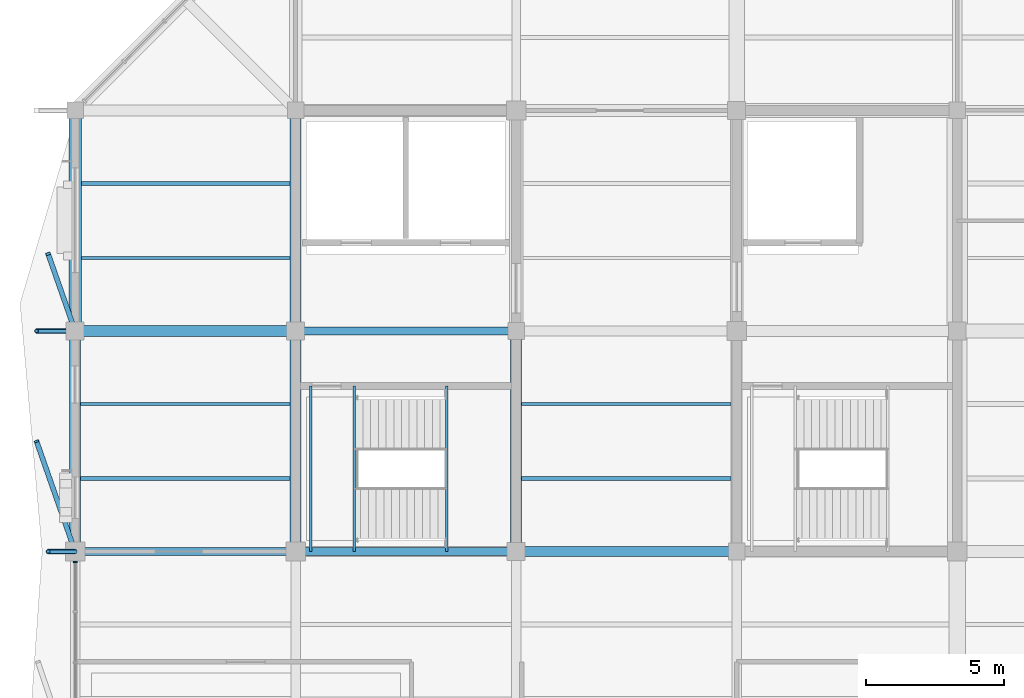
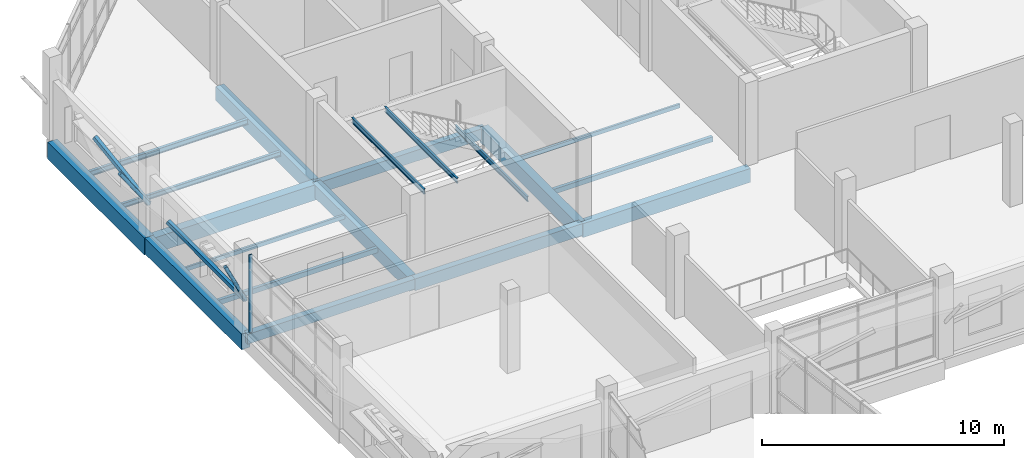
# One storey, part 27 of 84: 19 beams, 5 members, 1 element without a shape of its own.
"""IFC4 building model written with IfcOpenShell, lengths in metres."""

from ifc_helpers import new_model, si_unit, direction, frame, origin, origin_2d, place, context, subcontext, project, spatial, rectangle, hollow_rectangle, hollow_circle, i_section, extrude, material, material_profile, profile_set, type_object, element, aggregate, save


model = new_model("IFC4")

# Units and contexts
model_context = context("Model", 3, precision=1e-05, world=origin(), true_north=direction((0.0, 1.0)))
body_context = subcontext(model_context, "Body", "Model", "MODEL_VIEW")
ifc_project = project(units=[si_unit("LENGTHUNIT", "METRE"), si_unit("AREAUNIT", "SQUARE_METRE"), si_unit("VOLUMEUNIT", "CUBIC_METRE"), si_unit("PLANEANGLEUNIT", "RADIAN"), si_unit("MASSUNIT", "GRAM", prefix="KILO")], contexts=[model_context])

# Site, building, storey
site_placement = place(None, origin())
site = spatial("IfcSite", under=ifc_project, at=site_placement, CompositionType="ELEMENT")
building_placement = place(site_placement, origin())
building = spatial("IfcBuilding", under=site, at=building_placement, Name="Tenunan Teduh Sports Hall", CompositionType="ELEMENT")
storey_placement = place(building_placement, frame((0.0, 0.0, 10.800048828125)))
storey = spatial("IfcBuildingStorey", under=building, at=storey_placement, Name="L02", CompositionType="ELEMENT", Elevation=10.800048828125)

# Beams
ifc_material_1 = material(Name="Concrete C40/50", Category="concrete")
ifc_material_profile_1 = material_profile(ifc_material_1, rectangle(XDim=0.300048828125, YDim=0.5, at=origin_2d()), Name="RCB 300x500")
ifc_profile_set_1 = profile_set([ifc_material_profile_1], Name="Concrete C40/50")
beam_type_1 = type_object("IfcBeamType", Name="BM-RC-300x500", PredefinedType="BEAM", material=ifc_profile_set_1)
beam_1_placement = place(storey_placement, frame((6.0, 94.0, -0.510009765625), z_axis=(1.0, 0.0, 0.0), x_axis=(0.0, 1.0, 0.0)))
element("IfcBeam", 1, at=beam_1_placement, inside=storey, type_object=beam_type_1, Name="BM-B-01-L02-1507", PredefinedType="BEAM", context=body_context, shape_type="SweptSolid", body=[
    extrude(rectangle(XDim=0.300048828125, YDim=0.5, at=origin_2d()), origin(), (0.0, 0.0, 1.0), 8.0),
])
ifc_material_2 = material(Name="Concrete C40/50", Category="concrete")
ifc_material_profile_2 = material_profile(ifc_material_2, rectangle(XDim=0.300048828125, YDim=0.550048828125, at=origin_2d()), Name="RCB 300x550")
ifc_profile_set_2 = profile_set([ifc_material_profile_2], Name="Concrete C40/50")
beam_type_2 = type_object("IfcBeamType", Name="BM-RC-300x550", PredefinedType="BEAM", material=ifc_profile_set_2)
beam_2_placement = place(storey_placement, frame((14.0, 102.0, -0.53515625), z_axis=(1.0, 0.0, 0.0), x_axis=(0.0, 1.0, 0.0)))
element("IfcBeam", 2, at=beam_2_placement, inside=storey, type_object=beam_type_2, Name="BM-B-02-L02-1525", PredefinedType="BEAM", context=body_context, shape_type="SweptSolid", body=[
    extrude(rectangle(XDim=0.300048828125, YDim=0.550048828125, at=origin_2d()), origin(), (0.0, 0.0, 1.0), 8.0),
])
ifc_material_3 = material(Name="Concrete C40/50", Category="concrete")
ifc_material_profile_3 = material_profile(ifc_material_3, rectangle(XDim=0.300048828125, YDim=0.60009765625, at=origin_2d()), Name="RCB 300x600")
ifc_profile_set_3 = profile_set([ifc_material_profile_3], Name="Concrete C40/50")
beam_type_3 = type_object("IfcBeamType", Name="BM-RC-300x600", PredefinedType="BEAM", material=ifc_profile_set_3)
beam_3_placement = place(storey_placement, frame((14.0, 94.0, -0.56005859375), z_axis=(1.0, 0.0, 0.0), x_axis=(0.0, 1.0, 0.0)))
element("IfcBeam", 3, at=beam_3_placement, inside=storey, type_object=beam_type_3, Name="BM-B-03-L02-1508", PredefinedType="BEAM", context=body_context, shape_type="SweptSolid", body=[
    extrude(rectangle(XDim=0.300048828125, YDim=0.60009765625, at=origin_2d()), origin(), (0.0, 0.0, 1.0), 8.0),
])
ifc_material_4 = material(Name="Concrete C40/50", Category="concrete")
ifc_material_profile_4 = material_profile(ifc_material_4, rectangle(XDim=0.35009765625, YDim=0.699951171875, at=origin_2d()), Name="RCB 350x700")
ifc_profile_set_4 = profile_set([ifc_material_profile_4], Name="Concrete C40/50")
beam_type_4 = type_object("IfcBeamType", Name="BM-RC-350x700", PredefinedType="BEAM", material=ifc_profile_set_4)
beam_4_placement = place(storey_placement, frame((22.0, 94.0, -0.610107421875), z_axis=(1.0, 0.0, 0.0), x_axis=(0.0, 1.0, 0.0)))
element("IfcBeam", 4, at=beam_4_placement, inside=storey, type_object=beam_type_4, Name="BM-B-06-L02-1509", PredefinedType="BEAM", context=body_context, shape_type="SweptSolid", body=[
    extrude(rectangle(XDim=0.35009765625, YDim=0.699951171875, at=origin_2d()), origin(), (0.0, 0.0, 1.0), 8.0),
])
ifc_material_5 = material(Name="Concrete C40/50", Category="concrete")
ifc_material_profile_5 = material_profile(ifc_material_5, rectangle(XDim=0.39990234375, YDim=0.64990234375, at=origin_2d()), Name="RCB 400x650")
ifc_profile_set_5 = profile_set([ifc_material_profile_5], Name="Concrete C40/50")
beam_type_5 = type_object("IfcBeamType", Name="BM-RC-400x650", PredefinedType="BEAM", material=ifc_profile_set_5)
beam_5_placement = place(storey_placement, frame((14.0, 94.0, -0.5849609375), z_axis=(0.0, 1.0, 0.0), x_axis=(-1.0, 0.0, 0.0)))
element("IfcBeam", 5, at=beam_5_placement, inside=storey, type_object=beam_type_5, Name="BM-B-07-L02-1581", PredefinedType="BEAM", context=body_context, shape_type="SweptSolid", body=[
    extrude(rectangle(XDim=0.39990234375, YDim=0.64990234375, at=origin_2d()), origin(), (0.0, 0.0, 1.0), 8.0),
])
ifc_material_6 = material(Name="Concrete C40/50", Category="concrete")
ifc_material_profile_6 = material_profile(ifc_material_6, rectangle(XDim=0.39990234375, YDim=0.699951171875, at=origin_2d()), Name="RCB 400x700")
ifc_profile_set_6 = profile_set([ifc_material_profile_6], Name="Concrete C40/50")
beam_type_6 = type_object("IfcBeamType", Name="BM-RC-400x700", PredefinedType="BEAM", material=ifc_profile_set_6)
beam_6_placement = place(storey_placement, frame((14.0, 102.0, -0.610107421875), z_axis=(0.0, 1.0, 0.0), x_axis=(-1.0, 0.0, 0.0)))
element("IfcBeam", 6, at=beam_6_placement, inside=storey, type_object=beam_type_6, Name="BM-B-08-L02-1582", PredefinedType="BEAM", context=body_context, shape_type="SweptSolid", body=[
    extrude(rectangle(XDim=0.39990234375, YDim=0.699951171875, at=origin_2d()), origin(), (0.0, 0.0, 1.0), 8.0),
])
ifc_material_7 = material(Name="Concrete C40/50", Category="concrete")
ifc_material_profile_7 = material_profile(ifc_material_7, rectangle(XDim=0.39990234375, YDim=0.75, at=origin_2d()), Name="RCB 400x750")
ifc_profile_set_7 = profile_set([ifc_material_profile_7], Name="Concrete C40/50")
beam_type_7 = type_object("IfcBeamType", Name="BM-RC-400x750", PredefinedType="BEAM", material=ifc_profile_set_7)
beam_7_placement = place(storey_placement, frame((22.0, 94.0, -0.635009765625), z_axis=(0.0, 1.0, 0.0), x_axis=(-1.0, 0.0, 0.0)))
element("IfcBeam", 7, at=beam_7_placement, inside=storey, type_object=beam_type_7, Name="BM-B-09-L02-1590", PredefinedType="BEAM", context=body_context, shape_type="SweptSolid", body=[
    extrude(rectangle(XDim=0.39990234375, YDim=0.75, at=origin_2d()), origin(), (0.0, 0.0, 1.0), 8.0),
])
ifc_material_8 = material(Name="Concrete C40/50", Category="concrete")
ifc_material_profile_8 = material_profile(ifc_material_8, rectangle(XDim=0.39990234375, YDim=0.800048828125, at=origin_2d()), Name="RCB 400x800")
ifc_profile_set_8 = profile_set([ifc_material_profile_8], Name="Concrete C40/50")
beam_type_8 = type_object("IfcBeamType", Name="BM-RC-400x800", PredefinedType="BEAM", material=ifc_profile_set_8)
beam_8_placement = place(storey_placement, frame((6.0, 94.0, -0.66015625), z_axis=(0.0, 1.0, 0.0), x_axis=(-1.0, 0.0, 0.0)))
element("IfcBeam", 8, at=beam_8_placement, inside=storey, type_object=beam_type_8, Name="BM-B-10-L02-1573", PredefinedType="BEAM", context=body_context, shape_type="SweptSolid", body=[
    extrude(rectangle(XDim=0.39990234375, YDim=0.800048828125, at=origin_2d()), origin(), (0.0, 0.0, 1.0), 8.0),
])
ifc_material_9 = material(Name="Concrete C40/50", Category="concrete")
ifc_material_profile_9 = material_profile(ifc_material_9, rectangle(XDim=0.449951171875, YDim=0.85009765625, at=origin_2d()), Name="RCB 450x850")
ifc_profile_set_9 = profile_set([ifc_material_profile_9], Name="Concrete C40/50")
beam_type_9 = type_object("IfcBeamType", Name="BM-RC-450x850", PredefinedType="BEAM", material=ifc_profile_set_9)
beam_9_placement = place(storey_placement, frame((6.0, 102.0, -0.68505859375), z_axis=(0.0, 1.0, 0.0), x_axis=(-1.0, 0.0, 0.0)))
element("IfcBeam", 9, at=beam_9_placement, inside=storey, type_object=beam_type_9, Name="BM-B-13-L02-1574", PredefinedType="BEAM", context=body_context, shape_type="SweptSolid", body=[
    extrude(rectangle(XDim=0.449951171875, YDim=0.85009765625, at=origin_2d()), origin(), (0.0, 0.0, 1.0), 8.0),
])
ifc_material_10 = material(Name="Concrete C40/50", Category="concrete")
ifc_material_profile_10 = material_profile(ifc_material_10, rectangle(XDim=0.39990234375, YDim=0.780029296875, at=origin_2d()), Name="TB 400x780")
ifc_profile_set_10 = profile_set([ifc_material_profile_10], Name="Concrete C40/50")
beam_type_10 = type_object("IfcBeamType", Name="BM-TB-400x780", PredefinedType="T_BEAM", material=ifc_profile_set_10)
beam_10_placement = place(storey_placement, frame((6.0, 102.0, -0.650146484375), z_axis=(1.0, 0.0, 0.0), x_axis=(0.0, 1.0, 0.0)))
element("IfcBeam", 10, at=beam_10_placement, inside=storey, type_object=beam_type_10, Name="BM-TB-02-L02-1524", PredefinedType="T_BEAM", context=body_context, shape_type="SweptSolid", body=[
    extrude(rectangle(XDim=0.39990234375, YDim=0.780029296875, at=origin_2d()), origin(), (0.0, 0.0, 1.0), 8.0),
])

# Curtain wall, member
ifc_material_11 = material(Name="Anodised aluminium", Category="aluminium")
curtain_wall_type = type_object("IfcCurtainWallType", Name="CW-UNIT-2", PredefinedType="NOTDEFINED", material=ifc_material_11)
curtain_wall_placement = place(storey_placement, origin())
curtain_wall = element("IfcCurtainWall", 11, at=curtain_wall_placement, inside=storey, type_object=curtain_wall_type, Name="CW-CWM-150-L02-219", PredefinedType="NOTDEFINED")
ifc_material_12 = material(Name="Anodised aluminium", Category="aluminium")
ifc_material_profile_11 = material_profile(ifc_material_12, rectangle(XDim=0.06005859375, YDim=0.14990234375, at=origin_2d()), Name="CWM 60x150")
ifc_profile_set_11 = profile_set([ifc_material_profile_11], Name="Anodised aluminium")
member_type_1 = type_object("IfcMemberType", Name="CWM-150", PredefinedType="MULLION", material=ifc_profile_set_11)
member_1_placement = place(storey_placement, frame((6.0, 93.6201171875, 0.0), z_axis=(0.0, 0.0, 1.0), x_axis=(0.0, 1.0, 0.0)))
member_1 = element("IfcMember", 12, at=member_1_placement, type_object=member_type_1, Name="CW-02 mullion 5", PredefinedType="MULLION", context=body_context, shape_type="SweptSolid", body=[
    extrude(rectangle(XDim=0.06005859375, YDim=0.14990234375, at=origin_2d()), origin(), (0.0, 0.0, 1.0), 3.919921875),
])
aggregate(curtain_wall, [member_1])

# Beams
ifc_material_13 = material(Name="Steel S355", Category="steel")
ifc_material_profile_12 = material_profile(ifc_material_13, i_section(OverallWidth=0.1201171875, OverallDepth=0.239990234375, WebThickness=0.006103515625, FlangeThickness=0.009765625, FilletRadius=0.014892578125, at=origin_2d()), Name="IPE 240")
ifc_profile_set_12 = profile_set([ifc_material_profile_12], Name="Steel S355")
beam_type_11 = type_object("IfcBeamType", Name="JST-IPE240", PredefinedType="JOIST", material=ifc_profile_set_12)
beam_11_placement = place(storey_placement, frame((6.22509765625, 104.64990234375, -0.380126953125), z_axis=(1.0, 0.0, 0.0), x_axis=(0.0, 1.0, 0.0)))
element("IfcBeam", 13, at=beam_11_placement, inside=storey, type_object=beam_type_11, Name="BM-J-02-L02-1682", PredefinedType="JOIST", context=body_context, shape_type="SweptSolid", body=[
    extrude(i_section(OverallWidth=0.1201171875, OverallDepth=0.239990234375, WebThickness=0.006103515625, FlangeThickness=0.009765625, FilletRadius=0.014892578125, at=origin_2d()), origin(), (0.0, 0.0, 1.0), 7.574951171875),
])
ifc_material_14 = material(Name="Steel S355", Category="steel")
ifc_material_profile_13 = material_profile(ifc_material_14, i_section(OverallWidth=0.135009765625, OverallDepth=0.27001953125, WebThickness=0.006591796875, FlangeThickness=0.01025390625, FilletRadius=0.014892578125, at=origin_2d()), Name="IPE 270")
ifc_profile_set_13 = profile_set([ifc_material_profile_13], Name="Steel S355")
beam_type_12 = type_object("IfcBeamType", Name="JST-IPE270", PredefinedType="JOIST", material=ifc_profile_set_13)
beam_12_placement = place(storey_placement, frame((6.22509765625, 107.35009765625, -0.39501953125), z_axis=(1.0, 0.0, 0.0), x_axis=(0.0, 1.0, 0.0)))
element("IfcBeam", 14, at=beam_12_placement, inside=storey, type_object=beam_type_12, Name="BM-J-03-L02-1683", PredefinedType="JOIST", context=body_context, shape_type="SweptSolid", body=[
    extrude(i_section(OverallWidth=0.135009765625, OverallDepth=0.27001953125, WebThickness=0.006591796875, FlangeThickness=0.01025390625, FilletRadius=0.014892578125, at=origin_2d()), origin(), (0.0, 0.0, 1.0), 7.574951171875),
])

# Members
ifc_material_15 = material(Name="Steel S355", Category="steel")
ifc_material_profile_14 = material_profile(ifc_material_15, hollow_circle(Radius=0.084228515625, WallThickness=0.008056640625, at=origin_2d()), Name="CHS 168.3x8.0")
ifc_profile_set_14 = profile_set([ifc_material_profile_14], Name="Steel S355")
member_type_2 = type_object("IfcMemberType", Name="MEM-BR-CHS168", PredefinedType="BRACE", material=ifc_profile_set_14)
member_2_placement = place(storey_placement, frame((6.0, 94.0, 1.39990234375), z_axis=(-0.436481596168, 0.0, 0.899713185524), x_axis=(0.0, -1.0, 0.0)))
element("IfcMember", 15, at=member_2_placement, inside=storey, type_object=member_type_2, Name="MEM-GD-04-L02-1265", PredefinedType="BRACE", context=body_context, shape_type="SweptSolid", body=[
    extrude(hollow_circle(Radius=0.084228515625, WallThickness=0.008056640625, at=origin_2d()), origin(), (0.0, 0.0, 1.0), 2.2451171875),
])
member_3_placement = place(storey_placement, frame((6.0, 102.0, 1.39990234375), z_axis=(-0.56960249662, 0.0, 0.821920309911), x_axis=(0.0, -1.0, 0.0)))
element("IfcMember", 16, at=member_3_placement, inside=storey, type_object=member_type_2, Name="MEM-GD-04-L02-1267", PredefinedType="BRACE", context=body_context, shape_type="SweptSolid", body=[
    extrude(hollow_circle(Radius=0.084228515625, WallThickness=0.008056640625, at=origin_2d()), origin(), (0.0, 0.0, 1.0), 2.457763671875),
])
ifc_material_16 = material(Name="Steel S355", Category="steel")
ifc_material_profile_15 = material_profile(ifc_material_16, hollow_rectangle(XDim=0.179931640625, YDim=0.179931640625, WallThickness=0.010009765625, at=origin_2d()), Name="SHS 180x180x10.0")
ifc_profile_set_15 = profile_set([ifc_material_profile_15], Name="Steel S355")
member_type_3 = type_object("IfcMemberType", Name="MEM-ST-SHS180", PredefinedType="STRUT", material=ifc_profile_set_15)
member_4_placement = place(storey_placement, frame((6.0, 94.0, 1.39990234375), z_axis=(-0.298187834511, 0.852024673986, 0.43027662064), x_axis=(-0.943865541227, -0.330329895837, 0.0)))
element("IfcMember", 17, at=member_4_placement, inside=storey, type_object=member_type_3, Name="MEM-VS-03-L02-1266", PredefinedType="STRUT", context=body_context, shape_type="SweptSolid", body=[
    extrude(hollow_rectangle(XDim=0.179931640625, YDim=0.179931640625, WallThickness=0.010009765625, at=origin_2d()), origin(), (0.0, 0.0, 1.0), 4.694580078125),
])
member_5_placement = place(storey_placement, frame((6.0, 102.0, 1.39990234375), z_axis=(-0.273049073451, 0.780169363081, 0.562832096097), x_axis=(-0.943862205374, -0.330339427358, 0.0)))
element("IfcMember", 18, at=member_5_placement, inside=storey, type_object=member_type_3, Name="MEM-VS-03-L02-1268", PredefinedType="STRUT", context=body_context, shape_type="SweptSolid", body=[
    extrude(hollow_rectangle(XDim=0.179931640625, YDim=0.179931640625, WallThickness=0.010009765625, at=origin_2d()), origin(), (0.0, 0.0, 1.0), 3.589111328125),
])

# Beams
ifc_material_17 = material(Name="Steel S355", Category="steel")
ifc_material_profile_16 = material_profile(ifc_material_17, hollow_rectangle(XDim=0.10009765625, YDim=0.199951171875, WallThickness=0.008056640625, at=origin_2d()), Name="RHS 200x100x8.0")
ifc_profile_set_16 = profile_set([ifc_material_profile_16], Name="Steel S355")
beam_type_13 = type_object("IfcBeamType", Name="RBM-RHS200", PredefinedType="JOIST", material=ifc_profile_set_16)
for number, where, z_axis, x_axis, name in (
    (19, (6.199951171875, 99.35009765625, -0.360107421875), (1.0, 0.0, 0.0), (0.0, 1.0, 0.0), "Perimeter Ring Beam BM-RB-05-L02-1681"),
    (20, (22.199951171875, 99.35009765625, -0.360107421875), (1.0, 0.0, 0.0), (0.0, 1.0, 0.0), "Perimeter Ring Beam BM-RB-05-L02-1703"),
):
    element("IfcBeam", number, at=place(storey_placement, frame(where, z_axis=z_axis, x_axis=x_axis)), inside=storey, type_object=beam_type_13, Name=name, PredefinedType="JOIST", context=body_context, shape_type="SweptSolid", body=[
        extrude(hollow_rectangle(XDim=0.10009765625, YDim=0.199951171875, WallThickness=0.008056640625, at=origin_2d()), origin(), (0.0, 0.0, 1.0), 7.60009765625),
    ])
ifc_material_18 = material(Name="Steel S355", Category="steel")
ifc_material_profile_17 = material_profile(ifc_material_18, hollow_rectangle(XDim=0.14990234375, YDim=0.25, WallThickness=0.010009765625, at=origin_2d()), Name="RHS 250x150x10.0")
ifc_profile_set_17 = profile_set([ifc_material_profile_17], Name="Steel S355")
beam_type_14 = type_object("IfcBeamType", Name="RBM-RHS250", PredefinedType="BEAM", material=ifc_profile_set_17)
for number, where, z_axis, x_axis, name in (
    (21, (6.199951171875, 96.64990234375, -0.385009765625), (1.0, 0.0, 0.0), (0.0, 1.0, 0.0), "Perimeter Ring Beam BM-RB-04-L02-1680"),
    (22, (22.199951171875, 96.64990234375, -0.385009765625), (1.0, 0.0, 0.0), (0.0, 1.0, 0.0), "Perimeter Ring Beam BM-RB-04-L02-1702"),
):
    element("IfcBeam", number, at=place(storey_placement, frame(where, z_axis=z_axis, x_axis=x_axis)), inside=storey, type_object=beam_type_14, Name=name, PredefinedType="BEAM", context=body_context, shape_type="SweptSolid", body=[
        extrude(hollow_rectangle(XDim=0.14990234375, YDim=0.25, WallThickness=0.010009765625, at=origin_2d()), origin(), (0.0, 0.0, 1.0), 7.60009765625),
    ])
ifc_material_19 = material(Name="Steel S355", Category="steel")
ifc_material_profile_18 = material_profile(ifc_material_19, i_section(OverallWidth=0.090087890625, OverallDepth=0.260009765625, WebThickness=0.008056640625, FlangeThickness=0.013916015625, FilletRadius=0.011962890625, at=origin_2d()), Name="PFC 260x90")
ifc_profile_set_18 = profile_set([ifc_material_profile_18], Name="Steel S355")
beam_type_15 = type_object("IfcBeamType", Name="STR-BM-TRIM", PredefinedType="BEAM", material=ifc_profile_set_18)
for number, where, z_axis, x_axis, name in (
    (23, (19.47998046875, 94.0, 1.77001953125), (0.0, 1.0, 0.0), (-1.0, 0.0, 0.0), "BM-SS-02-W1-L02-M"),
    (24, (16.1201171875, 94.0, 3.869873046875), (0.0, 1.0, 0.0), (-1.0, 0.0, 0.0), "BM-SS-02-W1-L02-T"),
    (25, (14.550048828125, 94.0, 3.869873046875), (0.0, 1.0, 0.0), (-1.0, 0.0, 0.0), "BM-SS-02-W1-L02-TW"),
):
    element("IfcBeam", number, at=place(storey_placement, frame(where, z_axis=z_axis, x_axis=x_axis)), inside=storey, type_object=beam_type_15, Name=name, PredefinedType="BEAM", context=body_context, shape_type="SweptSolid", body=[
        extrude(i_section(OverallWidth=0.090087890625, OverallDepth=0.260009765625, WebThickness=0.008056640625, FlangeThickness=0.013916015625, FilletRadius=0.011962890625, at=origin_2d()), origin(), (0.0, 0.0, 1.0), 6.0),
    ])

save(model, "model.ifc")
